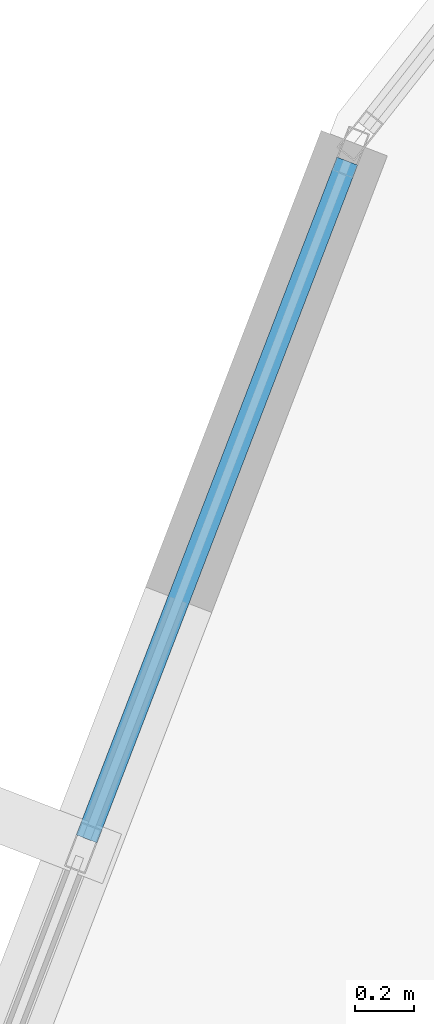
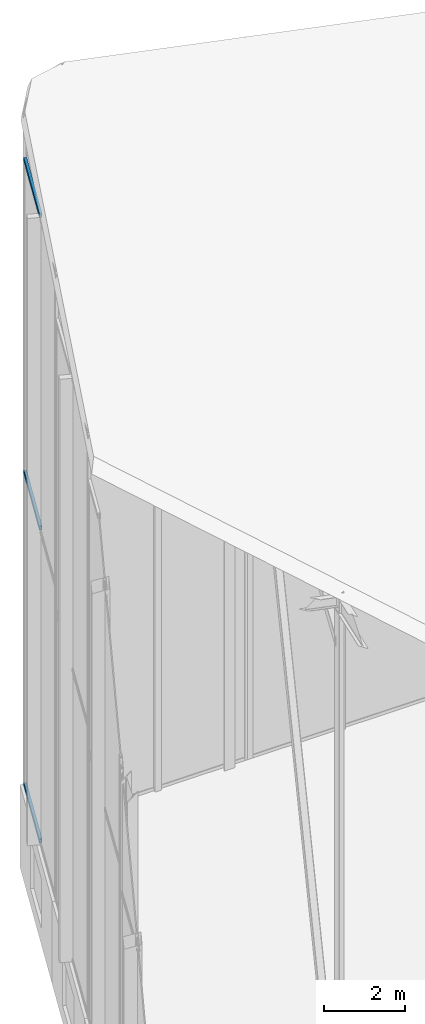
# One storey, part 35 of 74: 3 members, 1 element without a shape of its own.
"""IFC4 building model written with IfcOpenShell, lengths in metres."""

from ifc_helpers import new_model, si_unit, direction, frame, origin, origin_2d, place, context, subcontext, project, spatial, hollow_rectangle, extrude, material, layer, layer_set, material_profile, profile_set, type_object, element, aggregate, save


model = new_model("IFC4")

# Units and contexts
model_context = context("Model", 3, precision=1e-05, world=origin(), true_north=direction((0.0, 1.0)))
body_context = subcontext(model_context, "Body", "Model", "MODEL_VIEW")
ifc_project = project(units=[si_unit("LENGTHUNIT", "METRE"), si_unit("AREAUNIT", "SQUARE_METRE"), si_unit("VOLUMEUNIT", "CUBIC_METRE"), si_unit("PLANEANGLEUNIT", "RADIAN"), si_unit("MASSUNIT", "GRAM", prefix="KILO")], contexts=[model_context])

# Site, building, storey
site_placement = place(None, origin())
site = spatial("IfcSite", under=ifc_project, at=site_placement, CompositionType="ELEMENT")
building_placement = place(site_placement, origin())
building = spatial("IfcBuilding", under=site, at=building_placement, Name="Keshet Zoharim Tower", CompositionType="ELEMENT")
storey_placement = place(building_placement, frame((0.0, 0.0, 320.0)))
storey = spatial("IfcBuildingStorey", under=building, at=storey_placement, Name="RF", CompositionType="ELEMENT", Elevation=320.0)

# Curtain wall, members
ifc_material = material(Name="Aluminium 6063-T6", Category="aluminium")
ifc_layer = layer(ifc_material, 0.260009765625)
ifc_layer_set = layer_set([ifc_layer], Name="Aluminium 6063-T6")
curtain_wall_type = type_object("IfcCurtainWallType", Name="CW-SYS-06", PredefinedType="NOTDEFINED", material=ifc_layer_set)
curtain_wall_placement = place(storey_placement, origin())
curtain_wall = element("IfcCurtainWall", 1, at=curtain_wall_placement, inside=storey, type_object=curtain_wall_type, Name="Slanted Crown Curtain Wall 08", PredefinedType="NOTDEFINED")
ifc_material_profile = material_profile(ifc_material, hollow_rectangle(XDim=0.074951171875, YDim=0.1201171875, WallThickness=0.00390625, at=origin_2d()), Name="TRN-75x120")
ifc_profile_set = profile_set([ifc_material_profile], Name="Aluminium 6063-T6")
member_type = type_object("IfcMemberType", Name="CWT-T12", PredefinedType="USERDEFINED", material=ifc_profile_set)
member_1_placement = place(storey_placement, frame((13.60107421875, 50.262939453125, 2.532470703125), z_axis=(0.359012353671, 0.933332807691, 0.0), x_axis=(-0.933332807691, 0.359012353671, 0.0)))
member_1 = element("IfcMember", 2, at=member_1_placement, type_object=member_type, Name="CW-06 transom 2.1", ObjectType="TRANSOM", PredefinedType="USERDEFINED", context=body_context, shape_type="SweptSolid", body=[
    extrude(hollow_rectangle(XDim=0.074951171875, YDim=0.1201171875, WallThickness=0.00390625, at=origin_2d()), origin(), (0.0, 0.0, 1.0), 2.458251953125),
])
member_2_placement = place(storey_placement, frame((13.60107421875, 50.262939453125, 11.98095703125), z_axis=(0.359012353671, 0.933332807691, 0.0), x_axis=(-0.933332807691, 0.359012353671, 0.0)))
member_2 = element("IfcMember", 3, at=member_2_placement, type_object=member_type, Name="CW-06 transom 2.2", ObjectType="TRANSOM", PredefinedType="USERDEFINED", context=body_context, shape_type="SweptSolid", body=[
    extrude(hollow_rectangle(XDim=0.074951171875, YDim=0.1201171875, WallThickness=0.00390625, at=origin_2d()), origin(), (0.0, 0.0, 1.0), 2.458251953125),
])
member_3_placement = place(storey_placement, frame((13.60107421875, 50.262939453125, 21.428466796875), z_axis=(0.359012353671, 0.933332807691, 0.0), x_axis=(-0.933332807691, 0.359012353671, 0.0)))
member_3 = element("IfcMember", 4, at=member_3_placement, type_object=member_type, Name="CW-06 transom 2.3", ObjectType="TRANSOM", PredefinedType="USERDEFINED", context=body_context, shape_type="SweptSolid", body=[
    extrude(hollow_rectangle(XDim=0.074951171875, YDim=0.1201171875, WallThickness=0.00390625, at=origin_2d()), origin(), (0.0, 0.0, 1.0), 2.458251953125),
])
aggregate(curtain_wall, [member_1, member_2, member_3])

save(model, "model.ifc")
